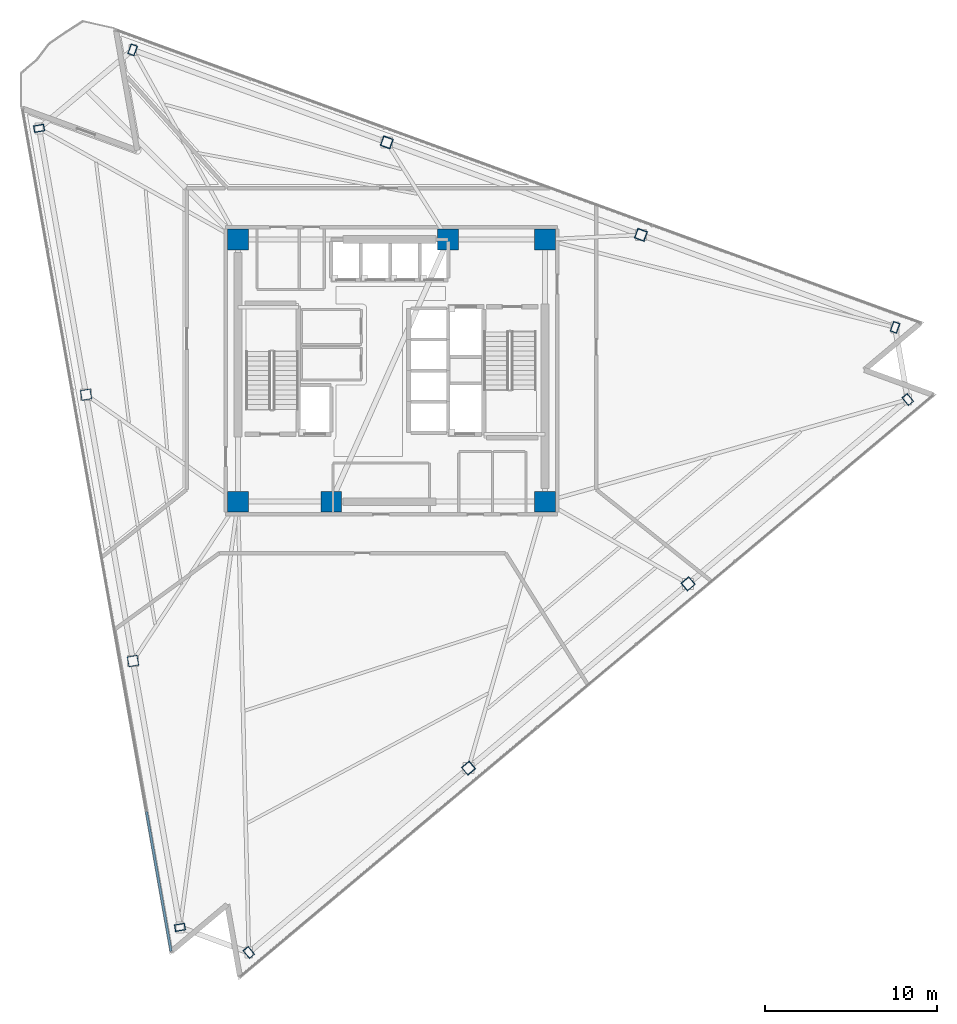
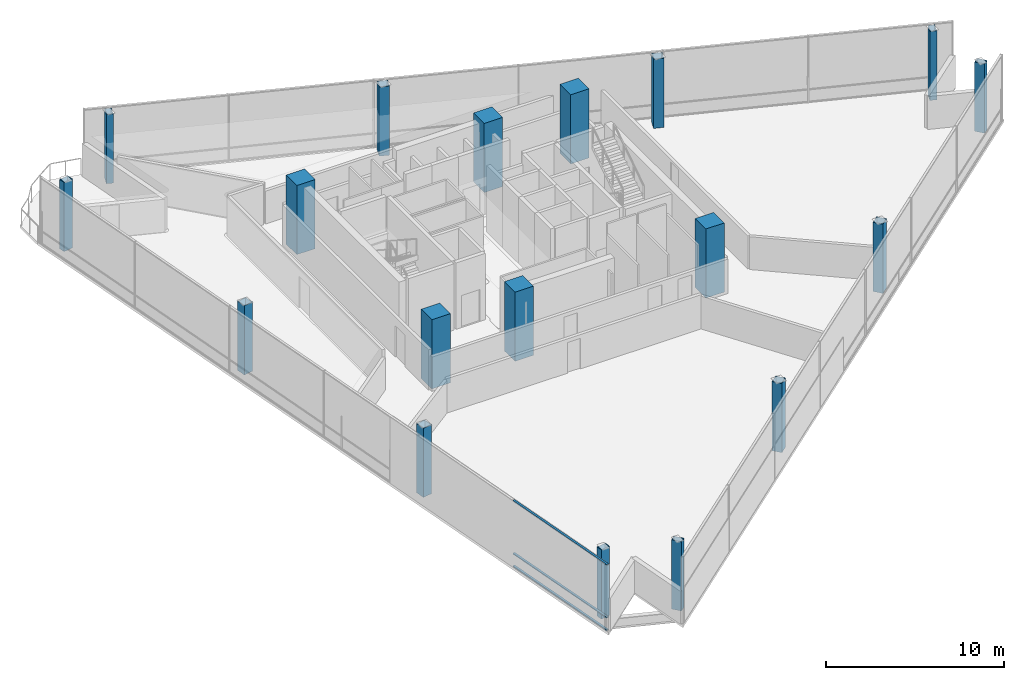
# One storey, part 1 of 15: 18 columns, 3 members, 1 element without a shape of its own.
"""IFC4 building model written with IfcOpenShell, lengths in metres."""

from ifc_helpers import new_model, si_unit, direction, frame, origin, origin_2d, place, context, subcontext, project, spatial, rectangle, hollow_rectangle, extrude, material, layer, layer_set, material_profile, profile_set, type_object, element, aggregate, save


model = new_model("IFC4")

# Units and contexts
model_context = context("Model", 3, precision=1e-05, world=origin(), true_north=direction((0.0, 1.0)))
body_context = subcontext(model_context, "Body", "Model", "MODEL_VIEW")
ifc_project = project(units=[si_unit("LENGTHUNIT", "METRE"), si_unit("AREAUNIT", "SQUARE_METRE"), si_unit("VOLUMEUNIT", "CUBIC_METRE"), si_unit("PLANEANGLEUNIT", "RADIAN"), si_unit("MASSUNIT", "GRAM", prefix="KILO")], contexts=[model_context])

# Site, building, storey
site_placement = place(None, origin())
site = spatial("IfcSite", under=ifc_project, at=site_placement, CompositionType="ELEMENT")
building_placement = place(site_placement, origin())
building = spatial("IfcBuilding", under=site, at=building_placement, Name="Tharavind Bronze Gate", CompositionType="ELEMENT")
storey_placement = place(building_placement, frame((0.0, 0.0, 192.10009765625)))
storey = spatial("IfcBuildingStorey", under=building, at=storey_placement, Name="L49", CompositionType="ELEMENT", Elevation=192.10009765625)

# Columns
ifc_material_1 = material(Name="Steel S460", Category="steel")
ifc_material_profile_1 = material_profile(ifc_material_1, hollow_rectangle(XDim=0.39990234375, YDim=0.60009765625, WallThickness=0.030029296875, at=origin_2d()), Name="RHS600X400X30")
ifc_profile_set_1 = profile_set([ifc_material_profile_1], Name="Steel S460")
column_type_1 = type_object("IfcColumnType", Name="CORNER NOTCH COLUMN RHS600X400", PredefinedType="COLUMN", material=ifc_profile_set_1)
for number, where, z_axis, x_axis, name in (
    (1, (-20.4326171875, 14.043212890625, 0.0), (0.0, 0.0, 1.0), (-0.173648177667, 0.984807753012, 0.0), "L49 perimeter column S1C1"),
    (2, (-12.263916015625, -32.2841796875, 0.0), (0.0, 0.0, 1.0), (-0.173648177667, 0.984807753012, 0.0), "L49 perimeter column S1C4"),
    (3, (-8.27197265625, -33.737060546875, 0.0), (0.0, 0.0, 1.0), (0.766043321242, 0.642788946685, 0.0), "L49 perimeter column S2C1"),
    (4, (29.933837890625, -1.6787109375, 0.0), (0.0, 0.0, 1.0), (0.766043321242, 0.642788946685, 0.0), "L49 perimeter column S2C4"),
    (5, (29.1962890625, 2.5048828125, 0.0), (0.0, 0.0, 1.0), (-0.939692023847, 0.342021783398, 0.0), "L49 perimeter column S3C1"),
    (6, (-15.0087890625, 18.59423828125, 0.0), (0.0, 0.0, 1.0), (-0.939692023847, 0.342021783398, 0.0), "L49 perimeter column S3C4"),
):
    element("IfcColumn", number, at=place(storey_placement, frame(where, z_axis=z_axis, x_axis=x_axis)), inside=storey, type_object=column_type_1, Name=name, PredefinedType="COLUMN", context=body_context, shape_type="SweptSolid", body=[
        extrude(hollow_rectangle(XDim=0.39990234375, YDim=0.60009765625, WallThickness=0.030029296875, at=origin_2d()), origin(), (0.0, 0.0, 1.0), 4.75),
    ])
ifc_material_2 = material(Name="Concrete C60/75", Category="concrete")
ifc_material_profile_2 = material_profile(ifc_material_2, rectangle(XDim=1.199951171875, YDim=1.199951171875, at=origin_2d()), Name="RCCOL1200")
ifc_profile_set_2 = profile_set([ifc_material_profile_2], Name="Concrete C60/75")
column_type_2 = type_object("IfcColumnType", Name="MEGA CORE COLUMN 1200", PredefinedType="COLUMN", material=ifc_profile_set_2)
for number, where, z_axis, x_axis, name in (
    (7, (-8.89990234375, -7.60009765625, 0.0), (0.0, 0.0, 1.0), (1.0, 0.0, 0.0), "L49 core mega column MC1"),
    (8, (-3.5, -7.60009765625, 0.0), (0.0, 0.0, 1.0), (1.0, 0.0, 0.0), "L49 core mega column MC2"),
    (9, (8.89990234375, -7.60009765625, 0.0), (0.0, 0.0, 1.0), (1.0, 0.0, 0.0), "L49 core mega column MC3"),
    (10, (8.89990234375, 7.60009765625, 0.0), (0.0, 0.0, 1.0), (1.0, 0.0, 0.0), "L49 core mega column MC4"),
    (11, (3.280029296875, 7.60009765625, 0.0), (0.0, 0.0, 1.0), (1.0, 0.0, 0.0), "L49 core mega column MC5"),
    (12, (-8.89990234375, 7.60009765625, 0.0), (0.0, 0.0, 1.0), (1.0, 0.0, 0.0), "L49 core mega column MC6"),
):
    element("IfcColumn", number, at=place(storey_placement, frame(where, z_axis=z_axis, x_axis=x_axis)), inside=storey, type_object=column_type_2, Name=name, PredefinedType="COLUMN", context=body_context, shape_type="SweptSolid", body=[
        extrude(rectangle(XDim=1.199951171875, YDim=1.199951171875, at=origin_2d()), origin(), (0.0, 0.0, 1.0), 4.75),
    ])
ifc_material_profile_3 = material_profile(ifc_material_1, hollow_rectangle(XDim=0.60009765625, YDim=0.60009765625, WallThickness=0.035888671875, at=origin_2d()), Name="SHS600X36")
ifc_profile_set_3 = profile_set([ifc_material_profile_3], Name="Steel S460")
column_type_3 = type_object("IfcColumnType", Name="PERIMETER BOX COLUMN SHS600", PredefinedType="COLUMN", material=ifc_profile_set_3)
for number, where, z_axis, x_axis, name in (
    (13, (-17.709716796875, -1.3994140625, 0.0), (0.0, 0.0, 1.0), (-0.173648177667, 0.984807753012, 0.0), "L49 perimeter column S1C2"),
    (14, (-14.98681640625, -16.841796875, 0.0), (0.0, 0.0, 1.0), (-0.173648177667, 0.984807753012, 0.0), "L49 perimeter column S1C3"),
    (15, (4.46337890625, -23.05078125, 0.0), (0.0, 0.0, 1.0), (0.766043321242, 0.642788946685, 0.0), "L49 perimeter column S2C2"),
    (16, (17.198486328125, -12.36474609375, 0.0), (0.0, 0.0, 1.0), (0.766043321242, 0.642788946685, 0.0), "L49 perimeter column S2C3"),
    (17, (14.461181640625, 7.867919921875, 0.0), (0.0, 0.0, 1.0), (-0.939692023847, 0.342021783398, 0.0), "L49 perimeter column S3C2"),
    (18, (-0.27392578125, 13.231201171875, 0.0), (0.0, 0.0, 1.0), (-0.939692023847, 0.342021783398, 0.0), "L49 perimeter column S3C3"),
):
    element("IfcColumn", number, at=place(storey_placement, frame(where, z_axis=z_axis, x_axis=x_axis)), inside=storey, type_object=column_type_3, Name=name, PredefinedType="COLUMN", context=body_context, shape_type="SweptSolid", body=[
        extrude(hollow_rectangle(XDim=0.60009765625, YDim=0.60009765625, WallThickness=0.035888671875, at=origin_2d()), origin(), (0.0, 0.0, 1.0), 4.75),
    ])

# Curtain wall, members
ifc_material_3 = material(Name="Anodised Bronze Aluminium", Category="aluminium")
ifc_layer = layer(ifc_material_3, 0.219970703125)
ifc_layer_set = layer_set([ifc_layer], Name="Anodised Bronze Aluminium")
curtain_wall_type = type_object("IfcCurtainWallType", Name="UNITISED CURTAIN WALL MID OFFICE", PredefinedType="USERDEFINED", material=ifc_layer_set)
curtain_wall_placement = place(storey_placement, origin())
curtain_wall = element("IfcCurtainWall", 19, at=curtain_wall_placement, inside=storey, type_object=curtain_wall_type, Name="L49 unitised curtain wall mid office CW-L49-S1", ObjectType="UNITISED CURTAIN WALL", PredefinedType="USERDEFINED")
member_type = type_object("IfcMemberType", Name="CURTAIN WALL BRONZE TRANSOM 65X140", PredefinedType="USERDEFINED", material=ifc_material_3)
member_1_placement = place(storey_placement, frame((-13.4951171875, -29.6201171875, 0.0), z_axis=(0.0, 0.0, 1.0), x_axis=(0.173648177667, -0.984807753012, 0.0)))
member_1 = element("IfcMember", 20, at=member_1_placement, type_object=member_type, Name="CW-L49-S1 transom TB6", ObjectType="TRANSOM", PredefinedType="USERDEFINED", context=body_context, shape_type="SweptSolid", body=[
    extrude(rectangle(XDim=8.220458984375, YDim=0.139892578125, at=origin_2d()), origin(), (0.0, 0.0, 1.0), 0.06494140625),
])
member_2_placement = place(storey_placement, frame((-13.4951171875, -29.6201171875, 0.867431640625), z_axis=(0.0, 0.0, 1.0), x_axis=(0.173648177667, -0.984807753012, 0.0)))
member_2 = element("IfcMember", 21, at=member_2_placement, type_object=member_type, Name="CW-L49-S1 transom TS6", ObjectType="TRANSOM", PredefinedType="USERDEFINED", context=body_context, shape_type="SweptSolid", body=[
    extrude(rectangle(XDim=8.220458984375, YDim=0.139892578125, at=origin_2d()), origin(), (0.0, 0.0, 1.0), 0.06494140625),
])
member_3_placement = place(storey_placement, frame((-13.4951171875, -29.6201171875, 4.494873046875), z_axis=(0.0, 0.0, 1.0), x_axis=(0.173648177667, -0.984807753012, 0.0)))
member_3 = element("IfcMember", 22, at=member_3_placement, type_object=member_type, Name="CW-L49-S1 transom TT6", ObjectType="TRANSOM", PredefinedType="USERDEFINED", context=body_context, shape_type="SweptSolid", body=[
    extrude(rectangle(XDim=8.220458984375, YDim=0.139892578125, at=origin_2d()), origin(), (0.0, 0.0, 1.0), 0.06494140625),
])
aggregate(curtain_wall, [member_1, member_2, member_3])

save(model, "model.ifc")
